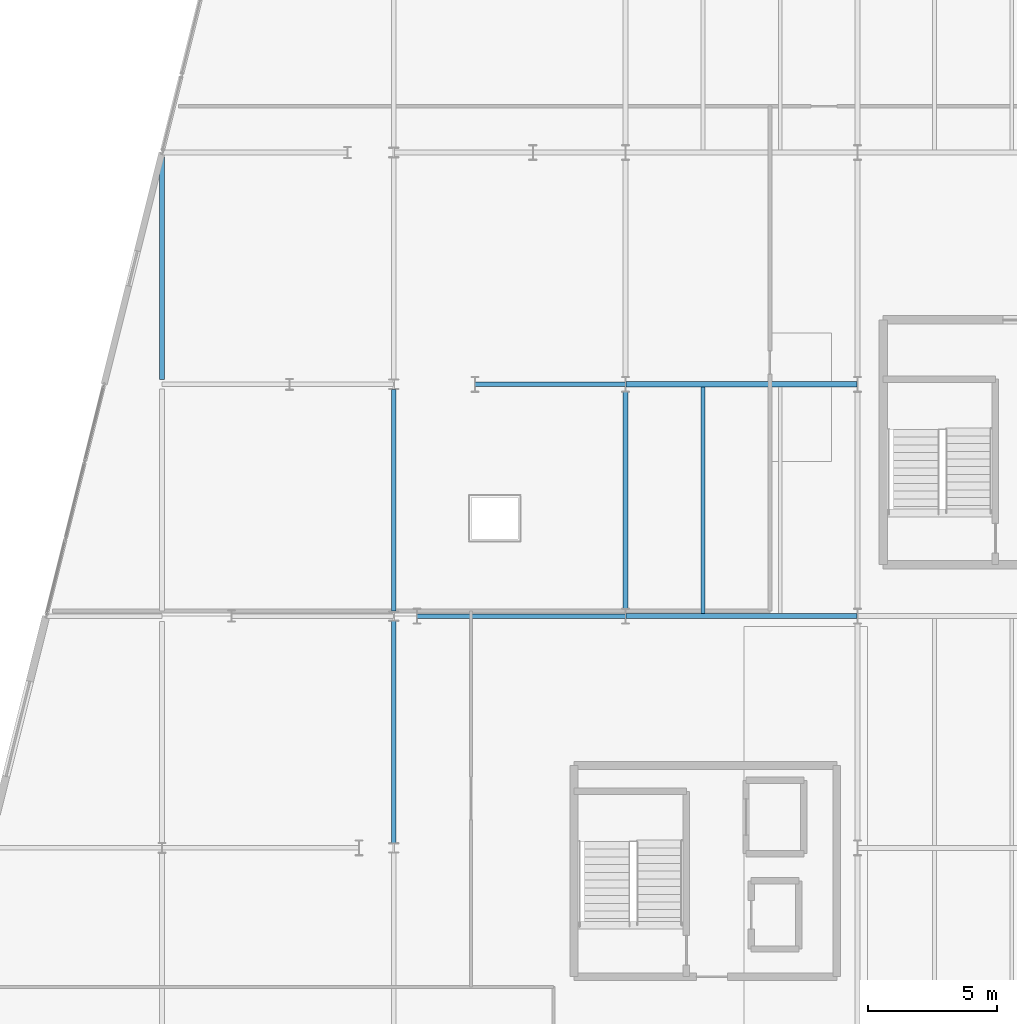
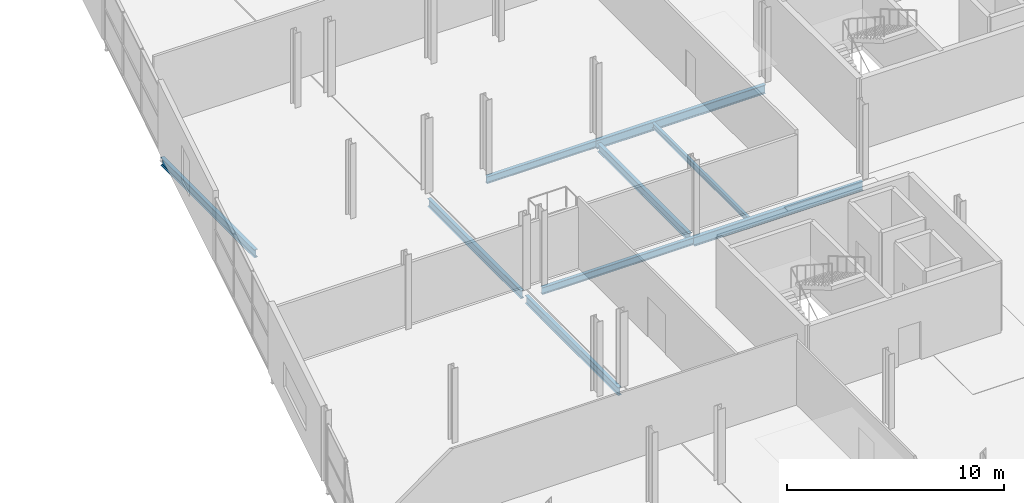
# One storey, part 54 of 88: 9 beams.
"""IFC4 building model written with IfcOpenShell, lengths in metres."""

from ifc_helpers import new_model, si_unit, direction, frame, origin, origin_2d, place, context, subcontext, project, spatial, i_section, extrude, material, material_profile, profile_set, type_object, element, save


model = new_model("IFC4")

# Units and contexts
model_context = context("Model", 3, precision=1e-05, world=origin(), true_north=direction((0.0, 1.0)))
body_context = subcontext(model_context, "Body", "Model", "MODEL_VIEW")
ifc_project = project(units=[si_unit("LENGTHUNIT", "METRE"), si_unit("AREAUNIT", "SQUARE_METRE"), si_unit("VOLUMEUNIT", "CUBIC_METRE"), si_unit("PLANEANGLEUNIT", "RADIAN"), si_unit("MASSUNIT", "GRAM", prefix="KILO")], contexts=[model_context])

# Site, building, storey
site_placement = place(None, origin())
site = spatial("IfcSite", under=ifc_project, at=site_placement, CompositionType="ELEMENT")
building_placement = place(site_placement, origin())
building = spatial("IfcBuilding", under=site, at=building_placement, Name="Deido Ridge Mobility Hub", CompositionType="ELEMENT")
storey_placement = place(building_placement, frame((0.0, 0.0, 16.800048828125)))
storey = spatial("IfcBuildingStorey", under=building, at=storey_placement, Name="L04", CompositionType="ELEMENT", Elevation=16.800048828125)

# Beams
ifc_material = material(Name="Steel S355J2 EN 10025-2", Category="steel")
ifc_material_profile_1 = material_profile(ifc_material, i_section(OverallWidth=0.179931640625, OverallDepth=0.39990234375, WebThickness=0.008544921875, FlangeThickness=0.013427734375, FilletRadius=0.02099609375, at=origin_2d()), Name="IPE 400")
ifc_profile_set_1 = profile_set([ifc_material_profile_1], Name="Steel S355J2 EN 10025-2")
beam_type_1 = type_object("IfcBeamType", Name="BM-IPE400", PredefinedType="BEAM", material=ifc_profile_set_1)
beam_1_placement = place(storey_placement, frame((144.90771484375, 36.0, -0.47509765625), z_axis=(1.0, 0.0, 0.0), x_axis=(0.0, 1.0, 0.0)))
element("IfcBeam", 1, at=beam_1_placement, inside=storey, type_object=beam_type_1, Name="Floor beam B5", PredefinedType="BEAM", context=body_context, shape_type="SweptSolid", body=[
    extrude(i_section(OverallWidth=0.179931640625, OverallDepth=0.39990234375, WebThickness=0.008544921875, FlangeThickness=0.013427734375, FilletRadius=0.02099609375, at=origin_2d()), origin(), (0.0, 0.0, 1.0), 8.08447265625),
])
beam_2_placement = place(storey_placement, frame((147.15771484375, 45.0, -0.47509765625), z_axis=(1.0, 0.0, 0.0), x_axis=(0.0, 1.0, 0.0)))
element("IfcBeam", 2, at=beam_2_placement, inside=storey, type_object=beam_type_1, Name="Floor beam B5", PredefinedType="BEAM", context=body_context, shape_type="SweptSolid", body=[
    extrude(i_section(OverallWidth=0.179931640625, OverallDepth=0.39990234375, WebThickness=0.008544921875, FlangeThickness=0.013427734375, FilletRadius=0.02099609375, at=origin_2d()), origin(), (0.0, 0.0, 1.0), 5.83447265625),
])
ifc_material_profile_2 = material_profile(ifc_material, i_section(OverallWidth=0.18994140625, OverallDepth=0.449951171875, WebThickness=0.009521484375, FlangeThickness=0.0146484375, FilletRadius=0.02099609375, at=origin_2d()), Name="IPE 450")
ifc_profile_set_2 = profile_set([ifc_material_profile_2], Name="Steel S355J2 EN 10025-2")
beam_type_2 = type_object("IfcBeamType", Name="BM-IPE450", PredefinedType="BEAM", material=ifc_profile_set_2)
beam_3_placement = place(storey_placement, frame((135.0, 45.179931640625, -0.5), z_axis=(0.0, 1.0, 0.0), x_axis=(-1.0, 0.0, 0.0)))
element("IfcBeam", 3, at=beam_3_placement, inside=storey, type_object=beam_type_2, Name="Floor beam B4", PredefinedType="BEAM", context=body_context, shape_type="SweptSolid", body=[
    extrude(i_section(OverallWidth=0.18994140625, OverallDepth=0.449951171875, WebThickness=0.009521484375, FlangeThickness=0.0146484375, FilletRadius=0.02099609375, at=origin_2d()), origin(), (0.0, 0.0, 1.0), 8.64013671875),
])
for number, where, z_axis, x_axis, name in (
    (4, (144.0, 27.196533203125, -0.5), (0.0, 1.0, 0.0), (-1.0, 0.0, 0.0), "Floor beam B4"),
    (5, (144.0, 36.196533203125, -0.5), (0.0, 1.0, 0.0), (-1.0, 0.0, 0.0), "Floor beam B4"),
):
    element("IfcBeam", number, at=place(storey_placement, frame(where, z_axis=z_axis, x_axis=x_axis)), inside=storey, type_object=beam_type_2, Name=name, PredefinedType="BEAM", context=body_context, shape_type="SweptSolid", body=[
        extrude(i_section(OverallWidth=0.18994140625, OverallDepth=0.449951171875, WebThickness=0.009521484375, FlangeThickness=0.0146484375, FilletRadius=0.02099609375, at=origin_2d()), origin(), (0.0, 0.0, 1.0), 8.60693359375),
    ])
beam_4_placement = place(storey_placement, frame((153.0, 36.300048828125, -0.5), z_axis=(0.0, 1.0, 0.0), x_axis=(-1.0, 0.0, 0.0)))
element("IfcBeam", 6, at=beam_4_placement, inside=storey, type_object=beam_type_2, Name="Floor beam B4", PredefinedType="BEAM", context=body_context, shape_type="SweptSolid", body=[
    extrude(i_section(OverallWidth=0.18994140625, OverallDepth=0.449951171875, WebThickness=0.009521484375, FlangeThickness=0.0146484375, FilletRadius=0.02099609375, at=origin_2d()), origin(), (0.0, 0.0, 1.0), 8.39990234375),
])
ifc_material_profile_3 = material_profile(ifc_material, i_section(OverallWidth=0.199951171875, OverallDepth=0.5, WebThickness=0.01025390625, FlangeThickness=0.01611328125, FilletRadius=0.02099609375, at=origin_2d()), Name="IPE 500")
ifc_profile_set_3 = profile_set([ifc_material_profile_3], Name="Steel S355J2 EN 10025-2")
beam_type_3 = type_object("IfcBeamType", Name="BM-IPE500", PredefinedType="BEAM", material=ifc_profile_set_3)
for number, where, z_axis, x_axis, name in (
    (7, (153.0078125, 36.0, -0.525146484375), (1.0, 0.0, 0.0), (0.0, 1.0, 0.0), "Floor beam B3"),
    (8, (153.0078125, 45.0, -0.525146484375), (1.0, 0.0, 0.0), (0.0, 1.0, 0.0), "Floor beam B3"),
):
    element("IfcBeam", number, at=place(storey_placement, frame(where, z_axis=z_axis, x_axis=x_axis)), inside=storey, type_object=beam_type_3, Name=name, PredefinedType="BEAM", context=body_context, shape_type="SweptSolid", body=[
        extrude(i_section(OverallWidth=0.199951171875, OverallDepth=0.5, WebThickness=0.01025390625, FlangeThickness=0.01611328125, FilletRadius=0.02099609375, at=origin_2d()), origin(), (0.0, 0.0, 1.0), 8.984375),
    ])
ifc_material_profile_4 = material_profile(ifc_material, i_section(OverallWidth=0.14990234375, OverallDepth=0.300048828125, WebThickness=0.007080078125, FlangeThickness=0.0107421875, FilletRadius=0.014892578125, at=origin_2d()), Name="IPE 300")
ifc_profile_set_4 = profile_set([ifc_material_profile_4], Name="Steel S355J2 EN 10025-2")
beam_type_4 = type_object("IfcBeamType", Name="JST-IPE300", PredefinedType="JOIST", material=ifc_profile_set_4)
beam_5_placement = place(storey_placement, frame((156.0, 36.10009765625, -0.425048828125), z_axis=(0.0, 1.0, 0.0), x_axis=(-1.0, 0.0, 0.0)))
element("IfcBeam", 9, at=beam_5_placement, inside=storey, type_object=beam_type_4, Name="Composite joist J3", PredefinedType="JOIST", context=body_context, shape_type="SweptSolid", body=[
    extrude(i_section(OverallWidth=0.14990234375, OverallDepth=0.300048828125, WebThickness=0.007080078125, FlangeThickness=0.0107421875, FilletRadius=0.014892578125, at=origin_2d()), origin(), (0.0, 0.0, 1.0), 8.7998046875),
])

save(model, "model.ifc")
